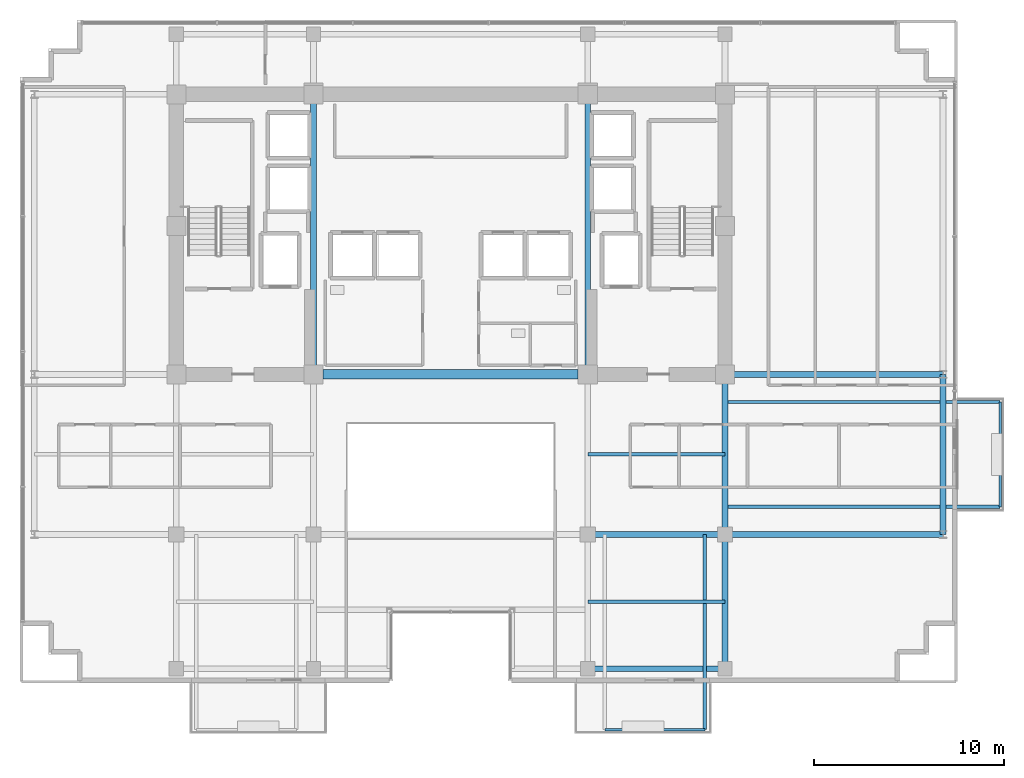
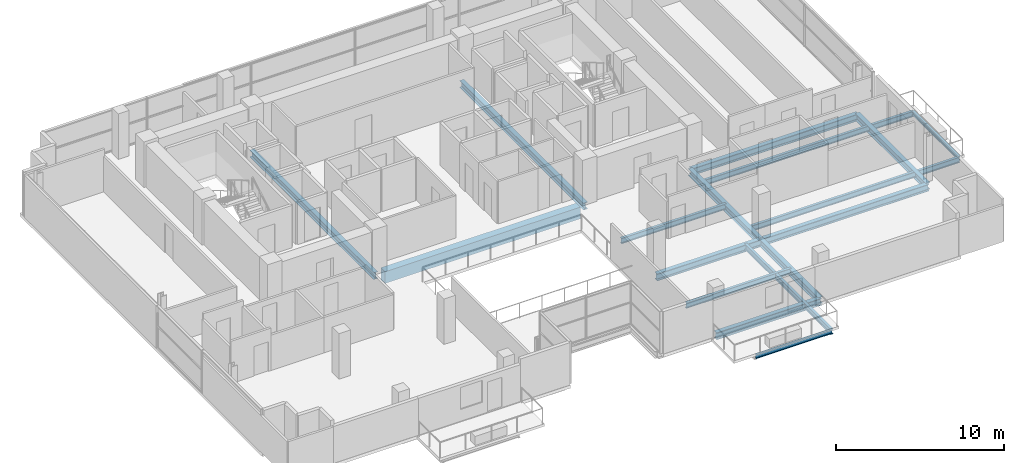
# One storey, part 8 of 21: 17 beams.
"""IFC4 building model written with IfcOpenShell, lengths in metres."""

from ifc_helpers import new_model, si_unit, direction, frame, origin, origin_2d, place, context, subcontext, project, spatial, rectangle, i_section, extrude, material, material_profile, profile_set, type_object, element, save


model = new_model("IFC4")

# Units and contexts
model_context = context("Model", 3, precision=1e-05, world=origin(), true_north=direction((0.0, 1.0)))
body_context = subcontext(model_context, "Body", "Model", "MODEL_VIEW")
ifc_project = project(units=[si_unit("LENGTHUNIT", "METRE"), si_unit("AREAUNIT", "SQUARE_METRE"), si_unit("VOLUMEUNIT", "CUBIC_METRE"), si_unit("PLANEANGLEUNIT", "RADIAN"), si_unit("MASSUNIT", "GRAM", prefix="KILO")], contexts=[model_context])

# Site, building, storey
site_placement = place(None, origin())
site = spatial("IfcSite", under=ifc_project, at=site_placement, CompositionType="ELEMENT")
building_placement = place(site_placement, origin())
building = spatial("IfcBuilding", under=site, at=building_placement, Name="Zarnakvel Exchange Tower", CompositionType="ELEMENT")
storey_placement = place(building_placement, frame((0.0, 0.0, 189.10009765625)))
storey = spatial("IfcBuildingStorey", under=building, at=storey_placement, Name="L53", CompositionType="ELEMENT", Elevation=189.10009765625)

# Beams
ifc_material_1 = material(Name="Steel S355", Category="steel")
ifc_material_profile_1 = material_profile(ifc_material_1, i_section(OverallWidth=0.179931640625, OverallDepth=0.39990234375, WebThickness=0.008544921875, FlangeThickness=0.013427734375, FilletRadius=0.02099609375, at=origin_2d()))
ifc_profile_set_1 = profile_set([ifc_material_profile_1], Name="Steel S355")
beam_type_1 = type_object("IfcBeamType", Name="B-06", PredefinedType="JOIST", material=ifc_profile_set_1)
for number, where, z_axis, x_axis, name in (
    (1, (7.199951171875, -13.125, -0.425048828125), (1.0, 0.0, 0.0), (0.0, 1.0, 0.0), "L53 Composite Floor Secondary Joist"),
    (2, (7.199951171875, -5.39990234375, -0.425048828125), (1.0, 0.0, 0.0), (0.0, 1.0, 0.0), "L53 Composite Floor Secondary Joist"),
):
    element("IfcBeam", number, at=place(storey_placement, frame(where, z_axis=z_axis, x_axis=x_axis)), inside=storey, type_object=beam_type_1, Name=name, PredefinedType="JOIST", context=body_context, shape_type="SweptSolid", body=[
        extrude(i_section(OverallWidth=0.179931640625, OverallDepth=0.39990234375, WebThickness=0.008544921875, FlangeThickness=0.013427734375, FilletRadius=0.02099609375, at=origin_2d()), origin(), (0.0, 0.0, 1.0), 7.199951171875),
    ])
beam_1_placement = place(storey_placement, frame((13.35009765625, -9.60009765625, -0.425048828125), z_axis=(0.0, -1.0, 0.0), x_axis=(1.0, 0.0, 0.0)))
element("IfcBeam", 3, at=beam_1_placement, inside=storey, type_object=beam_type_1, Name="L53 Continuous Back-Spanned Balcony Beam E", PredefinedType="JOIST", context=body_context, shape_type="SweptSolid", body=[
    extrude(i_section(OverallWidth=0.179931640625, OverallDepth=0.39990234375, WebThickness=0.008544921875, FlangeThickness=0.013427734375, FilletRadius=0.02099609375, at=origin_2d()), origin(), (0.0, 0.0, 1.0), 10.25),
])
for number, where, z_axis, x_axis, name in (
    (4, (14.39990234375, -8.14990234375, -0.425048828125), (1.0, 0.0, 0.0), (0.0, 1.0, 0.0), "L53 Continuous East Loggia Beam S"),
    (5, (14.39990234375, -2.64990234375, -0.425048828125), (1.0, 0.0, 0.0), (0.0, 1.0, 0.0), "L53 Continuous East Loggia Beam N"),
):
    element("IfcBeam", number, at=place(storey_placement, frame(where, z_axis=z_axis, x_axis=x_axis)), inside=storey, type_object=beam_type_1, Name=name, PredefinedType="JOIST", context=body_context, shape_type="SweptSolid", body=[
        extrude(i_section(OverallWidth=0.179931640625, OverallDepth=0.39990234375, WebThickness=0.008544921875, FlangeThickness=0.013427734375, FilletRadius=0.02099609375, at=origin_2d()), origin(), (0.0, 0.0, 1.0), 14.4501953125),
    ])
ifc_material_profile_2 = material_profile(ifc_material_1, i_section(OverallWidth=0.14990234375, OverallDepth=0.300048828125, WebThickness=0.007080078125, FlangeThickness=0.0107421875, FilletRadius=0.014892578125, at=origin_2d()))
ifc_profile_set_2 = profile_set([ifc_material_profile_2], Name="Steel S355")
beam_type_2 = type_object("IfcBeamType", Name="B-08", PredefinedType="JOIST", material=ifc_profile_set_2)
beam_2_placement = place(storey_placement, frame((8.10009765625, -19.85009765625, -0.375), z_axis=(1.0, 0.0, 0.0), x_axis=(0.0, 1.0, 0.0)))
element("IfcBeam", 6, at=beam_2_placement, inside=storey, type_object=beam_type_2, Name="L53 Balcony Edge Beam", PredefinedType="JOIST", context=body_context, shape_type="SweptSolid", body=[
    extrude(i_section(OverallWidth=0.14990234375, OverallDepth=0.300048828125, WebThickness=0.007080078125, FlangeThickness=0.0107421875, FilletRadius=0.014892578125, at=origin_2d()), origin(), (0.0, 0.0, 1.0), 5.25),
])
beam_3_placement = place(storey_placement, frame((28.85009765625, -8.14990234375, -0.375), z_axis=(0.0, 1.0, 0.0), x_axis=(-1.0, 0.0, 0.0)))
element("IfcBeam", 7, at=beam_3_placement, inside=storey, type_object=beam_type_2, Name="L53 East Loggia Edge Beam", PredefinedType="JOIST", context=body_context, shape_type="SweptSolid", body=[
    extrude(i_section(OverallWidth=0.14990234375, OverallDepth=0.300048828125, WebThickness=0.007080078125, FlangeThickness=0.0107421875, FilletRadius=0.014892578125, at=origin_2d()), origin(), (0.0, 0.0, 1.0), 5.5),
])
ifc_material_2 = material(Name="Concrete C60/75", Category="concrete")
ifc_material_profile_3 = material_profile(ifc_material_2, rectangle(XDim=0.5, YDim=0.85009765625, at=origin_2d()))
ifc_profile_set_3 = profile_set([ifc_material_profile_3], Name="Concrete C60/75")
beam_type_3 = type_object("IfcBeamType", Name="CB-02", PredefinedType="LINTEL", material=ifc_profile_set_3)
beam_4_placement = place(storey_placement, frame((-6.699951171875, -1.199951171875, -0.650146484375), z_axis=(1.0, 0.0, 0.0), x_axis=(0.0, 1.0, 0.0)))
element("IfcBeam", 8, at=beam_4_placement, inside=storey, type_object=beam_type_3, Name="L53 Rear Core South Coupling Beam (CB-02)", PredefinedType="LINTEL", context=body_context, shape_type="SweptSolid", body=[
    extrude(rectangle(XDim=0.5, YDim=0.85009765625, at=origin_2d()), origin(), (0.0, 0.0, 1.0), 13.39990234375),
])
ifc_material_profile_4 = material_profile(ifc_material_1, i_section(OverallWidth=0.300048828125, OverallDepth=0.5, WebThickness=0.014404296875, FlangeThickness=0.028076171875, FilletRadius=0.027099609375, at=origin_2d()))
ifc_profile_set_4 = profile_set([ifc_material_profile_4], Name="Steel S355")
beam_type_4 = type_object("IfcBeamType", Name="G-06", PredefinedType="BEAM", material=ifc_profile_set_4)
beam_5_placement = place(storey_placement, frame((7.199951171875, -9.60009765625, -0.47509765625), z_axis=(1.0, 0.0, 0.0), x_axis=(0.0, 1.0, 0.0)))
element("IfcBeam", 9, at=beam_5_placement, inside=storey, type_object=beam_type_4, Name="L53 Tower E-W Frame Beam", PredefinedType="BEAM", context=body_context, shape_type="SweptSolid", body=[
    extrude(i_section(OverallWidth=0.300048828125, OverallDepth=0.5, WebThickness=0.014404296875, FlangeThickness=0.028076171875, FilletRadius=0.027099609375, at=origin_2d()), origin(), (0.0, 0.0, 1.0), 7.199951171875),
])
for number, where, z_axis, x_axis, name in (
    (10, (14.39990234375, -9.60009765625, -0.47509765625), (1.0, 0.0, 0.0), (0.0, 1.0, 0.0), "L53 Tower E-W Frame Beam"),
    (11, (14.39990234375, -1.199951171875, -0.47509765625), (1.0, 0.0, 0.0), (0.0, 1.0, 0.0), "L53 Tower E-W Frame Beam"),
):
    element("IfcBeam", number, at=place(storey_placement, frame(where, z_axis=z_axis, x_axis=x_axis)), inside=storey, type_object=beam_type_4, Name=name, PredefinedType="BEAM", context=body_context, shape_type="SweptSolid", body=[
        extrude(i_section(OverallWidth=0.300048828125, OverallDepth=0.5, WebThickness=0.014404296875, FlangeThickness=0.028076171875, FilletRadius=0.027099609375, at=origin_2d()), origin(), (0.0, 0.0, 1.0), 11.4501953125),
    ])
for number, where, z_axis, x_axis, name in (
    (12, (-7.199951171875, -1.199951171875, -0.47509765625), (0.0, 1.0, 0.0), (-1.0, 0.0, 0.0), "L53 Tower N-S Frame Beam"),
    (13, (7.199951171875, -1.199951171875, -0.47509765625), (0.0, 1.0, 0.0), (-1.0, 0.0, 0.0), "L53 Tower N-S Frame Beam"),
):
    element("IfcBeam", number, at=place(storey_placement, frame(where, z_axis=z_axis, x_axis=x_axis)), inside=storey, type_object=beam_type_4, Name=name, PredefinedType="BEAM", context=body_context, shape_type="SweptSolid", body=[
        extrude(i_section(OverallWidth=0.300048828125, OverallDepth=0.5, WebThickness=0.014404296875, FlangeThickness=0.028076171875, FilletRadius=0.027099609375, at=origin_2d()), origin(), (0.0, 0.0, 1.0), 14.699951171875),
    ])
beam_6_placement = place(storey_placement, frame((14.39990234375, -16.64990234375, -0.47509765625), z_axis=(0.0, 1.0, 0.0), x_axis=(-1.0, 0.0, 0.0)))
element("IfcBeam", 14, at=beam_6_placement, inside=storey, type_object=beam_type_4, Name="L53 Tower N-S Frame Beam", PredefinedType="BEAM", context=body_context, shape_type="SweptSolid", body=[
    extrude(i_section(OverallWidth=0.300048828125, OverallDepth=0.5, WebThickness=0.014404296875, FlangeThickness=0.028076171875, FilletRadius=0.027099609375, at=origin_2d()), origin(), (0.0, 0.0, 1.0), 7.0498046875),
])
beam_7_placement = place(storey_placement, frame((14.39990234375, -9.60009765625, -0.47509765625), z_axis=(0.0, 1.0, 0.0), x_axis=(-1.0, 0.0, 0.0)))
element("IfcBeam", 15, at=beam_7_placement, inside=storey, type_object=beam_type_4, Name="L53 Tower N-S Frame Beam", PredefinedType="BEAM", context=body_context, shape_type="SweptSolid", body=[
    extrude(i_section(OverallWidth=0.300048828125, OverallDepth=0.5, WebThickness=0.014404296875, FlangeThickness=0.028076171875, FilletRadius=0.027099609375, at=origin_2d()), origin(), (0.0, 0.0, 1.0), 8.400146484375),
])
ifc_material_profile_5 = material_profile(ifc_material_1, i_section(OverallWidth=0.300048828125, OverallDepth=0.5, WebThickness=0.014404296875, FlangeThickness=0.028076171875, FilletRadius=0.027099609375, at=origin_2d()))
ifc_profile_set_5 = profile_set([ifc_material_profile_5], Name="Steel S355")
beam_type_5 = type_object("IfcBeamType", Name="SP-02", PredefinedType="SPANDREL", material=ifc_profile_set_5)
beam_8_placement = place(storey_placement, frame((7.199951171875, -16.64990234375, -0.47509765625), z_axis=(1.0, 0.0, 0.0), x_axis=(0.0, 1.0, 0.0)))
element("IfcBeam", 16, at=beam_8_placement, inside=storey, type_object=beam_type_5, Name="L53 Tower E-W Frame Beam", PredefinedType="SPANDREL", context=body_context, shape_type="SweptSolid", body=[
    extrude(i_section(OverallWidth=0.300048828125, OverallDepth=0.5, WebThickness=0.014404296875, FlangeThickness=0.028076171875, FilletRadius=0.027099609375, at=origin_2d()), origin(), (0.0, 0.0, 1.0), 7.199951171875),
])
beam_9_placement = place(storey_placement, frame((25.85009765625, -9.60009765625, -0.47509765625), z_axis=(0.0, 1.0, 0.0), x_axis=(-1.0, 0.0, 0.0)))
element("IfcBeam", 17, at=beam_9_placement, inside=storey, type_object=beam_type_5, Name="L53 Tower N-S Frame Beam", PredefinedType="SPANDREL", context=body_context, shape_type="SweptSolid", body=[
    extrude(i_section(OverallWidth=0.300048828125, OverallDepth=0.5, WebThickness=0.014404296875, FlangeThickness=0.028076171875, FilletRadius=0.027099609375, at=origin_2d()), origin(), (0.0, 0.0, 1.0), 8.400146484375),
])

save(model, "model.ifc")
